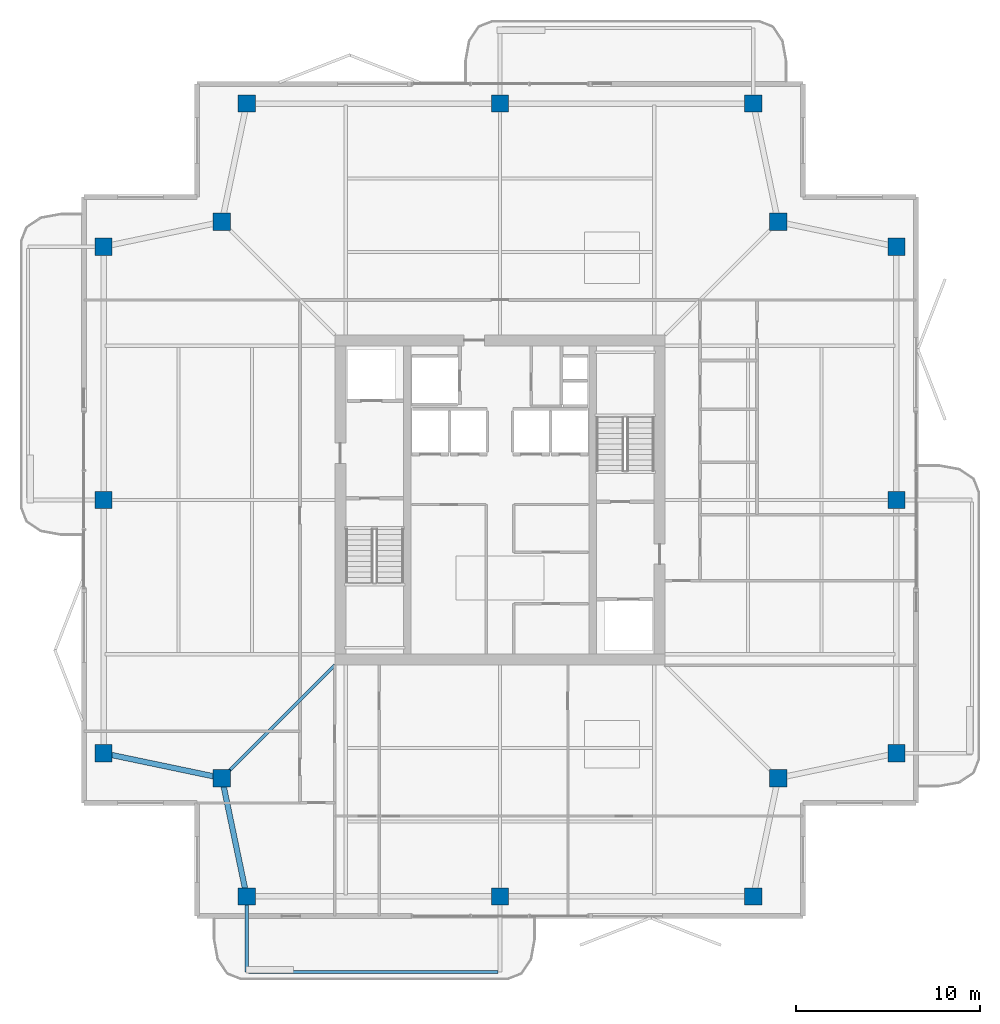
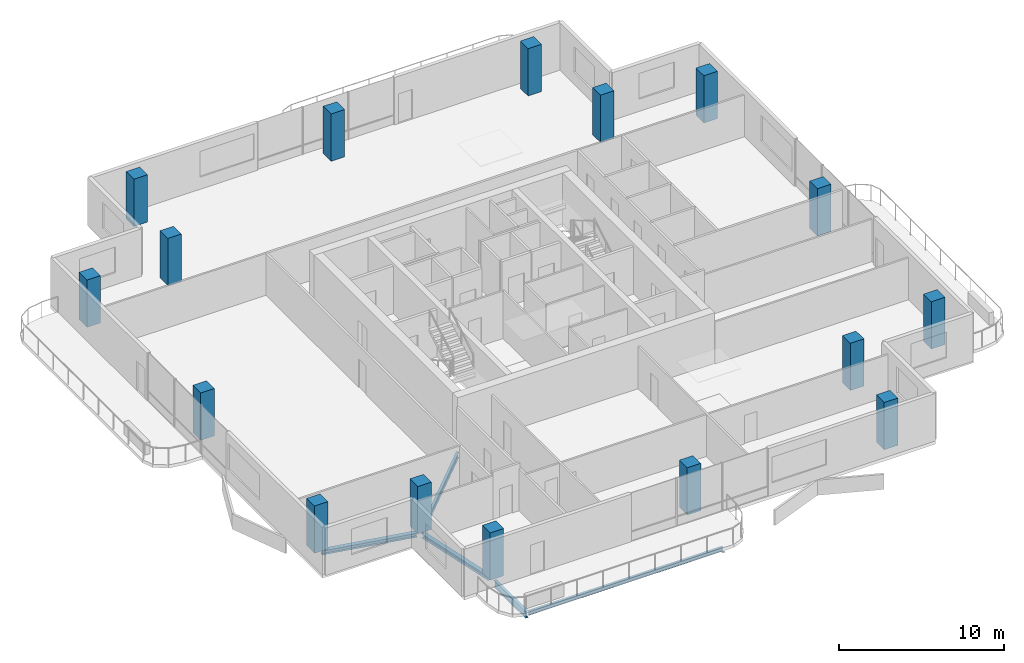
# One storey, part 1 of 17: 16 columns, 5 beams.
"""IFC4 building model written with IfcOpenShell, lengths in metres."""

from ifc_helpers import new_model, si_unit, direction, frame, origin, origin_2d, place, context, subcontext, project, spatial, rectangle, i_section, extrude, material, material_profile, profile_set, type_object, element, save


model = new_model("IFC4")

# Units and contexts
model_context = context("Model", 3, precision=1e-05, world=origin(), true_north=direction((0.0, 1.0)))
body_context = subcontext(model_context, "Body", "Model", "MODEL_VIEW")
ifc_project = project(units=[si_unit("LENGTHUNIT", "METRE"), si_unit("AREAUNIT", "SQUARE_METRE"), si_unit("VOLUMEUNIT", "CUBIC_METRE"), si_unit("PLANEANGLEUNIT", "RADIAN"), si_unit("MASSUNIT", "GRAM", prefix="KILO")], contexts=[model_context])

# Site, building, storey
site_placement = place(None, origin())
site = spatial("IfcSite", under=ifc_project, at=site_placement, CompositionType="ELEMENT")
building_placement = place(site_placement, origin())
building = spatial("IfcBuilding", under=site, at=building_placement, Name="Belovzor Exchange Tower", CompositionType="ELEMENT")
storey_placement = place(building_placement, frame((0.0, 0.0, 325.5)))
storey = spatial("IfcBuildingStorey", under=building, at=storey_placement, Name="L81", CompositionType="ELEMENT", Elevation=325.5)

# Columns
ifc_material_1 = material(Name="Concrete C50/60", Category="concrete")
ifc_material_profile_1 = material_profile(ifc_material_1, rectangle(XDim=0.949951171875, YDim=0.949951171875, at=origin_2d()))
ifc_profile_set_1 = profile_set([ifc_material_profile_1], Name="Concrete C50/60")
column_type = type_object("IfcColumnType", Name="Reinforced Concrete Tower Column 950x950", PredefinedType="COLUMN", material=ifc_profile_set_1)
for number, where, z_axis, x_axis, name in (
    (1, (15.0, 7.199951171875, 0.0029296875), (0.0, 0.0, 1.0), (1.0, 0.0, 0.0), "COL-T095 Reinforced Concrete Tower Column 950x950"),
    (2, (28.800048828125, 7.199951171875, 0.0029296875), (0.0, 0.0, 1.0), (1.0, 0.0, 0.0), "COL-T095 Reinforced Concrete Tower Column 950x950"),
    (3, (42.60009765625, 7.199951171875, 0.0029296875), (0.0, 0.0, 1.0), (1.0, 0.0, 0.0), "COL-T095 Reinforced Concrete Tower Column 950x950"),
    (4, (50.39990234375, 15.0, 0.0029296875), (0.0, 0.0, 1.0), (1.0, 0.0, 0.0), "COL-T095 Reinforced Concrete Tower Column 950x950"),
    (5, (50.39990234375, 28.800048828125, 0.0029296875), (0.0, 0.0, 1.0), (1.0, 0.0, 0.0), "COL-T095 Reinforced Concrete Tower Column 950x950"),
    (6, (50.39990234375, 42.60009765625, 0.0029296875), (0.0, 0.0, 1.0), (1.0, 0.0, 0.0), "COL-T095 Reinforced Concrete Tower Column 950x950"),
    (7, (42.60009765625, 50.39990234375, 0.0029296875), (0.0, 0.0, 1.0), (1.0, 0.0, 0.0), "COL-T095 Reinforced Concrete Tower Column 950x950"),
    (8, (28.800048828125, 50.39990234375, 0.0029296875), (0.0, 0.0, 1.0), (1.0, 0.0, 0.0), "COL-T095 Reinforced Concrete Tower Column 950x950"),
    (9, (15.0, 50.39990234375, 0.0029296875), (0.0, 0.0, 1.0), (1.0, 0.0, 0.0), "COL-T095 Reinforced Concrete Tower Column 950x950"),
    (10, (7.199951171875, 42.60009765625, 0.0029296875), (0.0, 0.0, 1.0), (1.0, 0.0, 0.0), "COL-T095 Reinforced Concrete Tower Column 950x950"),
    (11, (7.199951171875, 28.800048828125, 0.0029296875), (0.0, 0.0, 1.0), (1.0, 0.0, 0.0), "COL-T095 Reinforced Concrete Tower Column 950x950"),
    (12, (7.199951171875, 15.0, 0.0029296875), (0.0, 0.0, 1.0), (1.0, 0.0, 0.0), "COL-T095 Reinforced Concrete Tower Column 950x950"),
    (13, (13.64990234375, 13.64990234375, 0.0029296875), (0.0, 0.0, 1.0), (1.0, 0.0, 0.0), "COL-T095 Reinforced Concrete Tower Column 950x950"),
    (14, (43.949951171875, 13.64990234375, 0.0029296875), (0.0, 0.0, 1.0), (1.0, 0.0, 0.0), "COL-T095 Reinforced Concrete Tower Column 950x950"),
    (15, (43.949951171875, 43.949951171875, 0.0029296875), (0.0, 0.0, 1.0), (1.0, 0.0, 0.0), "COL-T095 Reinforced Concrete Tower Column 950x950"),
    (16, (13.64990234375, 43.949951171875, 0.0029296875), (0.0, 0.0, 1.0), (1.0, 0.0, 0.0), "COL-T095 Reinforced Concrete Tower Column 950x950"),
):
    element("IfcColumn", number, at=place(storey_placement, frame(where, z_axis=z_axis, x_axis=x_axis)), inside=storey, type_object=column_type, Name=name, PredefinedType="COLUMN", context=body_context, shape_type="SweptSolid", body=[
        extrude(rectangle(XDim=0.949951171875, YDim=0.949951171875, at=origin_2d()), origin(), (0.0, 0.0, 1.0), 3.504150390625),
    ])

# Beams
ifc_material_2 = material(Name="Steel S355", Category="steel")
ifc_material_profile_2 = material_profile(ifc_material_2, i_section(OverallWidth=0.199951171875, OverallDepth=0.5, WebThickness=0.01025390625, FlangeThickness=0.01611328125, at=origin_2d()))
ifc_profile_set_2 = profile_set([ifc_material_profile_2], Name="Steel S355")
beam_type_1 = type_object("IfcBeamType", Name="Planted Balcony Cantilever Beam IPE 500", PredefinedType="BEAM", material=ifc_profile_set_2)
beam_1_placement = place(storey_placement, frame((15.0, 6.93896484375, -0.489990234375), z_axis=(0.0, -1.0, 0.0), x_axis=(1.0, 0.0, 0.0)))
element("IfcBeam", 17, at=beam_1_placement, inside=storey, type_object=beam_type_1, Name="BC-500 Planted Balcony Cantilever Beam IPE 500", PredefinedType="BEAM", context=body_context, shape_type="SweptSolid", body=[
    extrude(i_section(OverallWidth=0.199951171875, OverallDepth=0.5, WebThickness=0.01025390625, FlangeThickness=0.01611328125, at=origin_2d()), origin(), (0.0, 0.0, 1.0), 3.849853515625),
])
ifc_material_3 = material(Name="Steel S355", Category="steel")
ifc_material_profile_3 = material_profile(ifc_material_3, i_section(OverallWidth=0.14990234375, OverallDepth=0.300048828125, WebThickness=0.007080078125, FlangeThickness=0.0107421875, at=origin_2d()))
ifc_profile_set_3 = profile_set([ifc_material_profile_3], Name="Steel S355")
beam_type_2 = type_object("IfcBeamType", Name="Planted Balcony Fascia Edge Beam IPE 300", PredefinedType="BEAM", material=ifc_profile_set_3)
beam_2_placement = place(storey_placement, frame((15.10009765625, 3.089111328125, -0.389892578125), z_axis=(1.0, 0.0, 0.0), x_axis=(0.0, 1.0, 0.0)))
element("IfcBeam", 18, at=beam_2_placement, inside=storey, type_object=beam_type_2, Name="BC-300 Planted Balcony Fascia Edge Beam IPE 300", PredefinedType="BEAM", context=body_context, shape_type="SweptSolid", body=[
    extrude(i_section(OverallWidth=0.14990234375, OverallDepth=0.300048828125, WebThickness=0.007080078125, FlangeThickness=0.0107421875, at=origin_2d()), origin(), (0.0, 0.0, 1.0), 13.599853515625),
])
ifc_material_4 = material(Name="Steel S355", Category="steel")
ifc_material_profile_4 = material_profile(ifc_material_4, i_section(OverallWidth=0.179931640625, OverallDepth=0.39990234375, WebThickness=0.008544921875, FlangeThickness=0.013427734375, at=origin_2d()))
ifc_profile_set_4 = profile_set([ifc_material_profile_4], Name="Steel S355")
beam_type_3 = type_object("IfcBeamType", Name="Zone 5-6 Radial Composite Floor Beam IPE 400", PredefinedType="BEAM", material=ifc_profile_set_4)
beam_3_placement = place(storey_placement, frame((19.800048828125, 19.800048828125, -0.43994140625), z_axis=(-0.707106781187, -0.707106781187, 0.0), x_axis=(0.707106781187, -0.707106781187, 0.0)))
element("IfcBeam", 19, at=beam_3_placement, inside=storey, type_object=beam_type_3, Name="FB-400 Zone 5-6 Radial Composite Floor Beam IPE 400", PredefinedType="BEAM", context=body_context, shape_type="SweptSolid", body=[
    extrude(i_section(OverallWidth=0.179931640625, OverallDepth=0.39990234375, WebThickness=0.008544921875, FlangeThickness=0.013427734375, at=origin_2d()), origin(), (0.0, 0.0, 1.0), 8.361083984375),
])
ifc_material_5 = material(Name="Steel S355", Category="steel")
ifc_material_profile_5 = material_profile(ifc_material_5, i_section(OverallWidth=0.300048828125, OverallDepth=0.300048828125, WebThickness=0.008544921875, FlangeThickness=0.013916015625, at=origin_2d()))
ifc_profile_set_5 = profile_set([ifc_material_profile_5], Name="Steel S355")
beam_type_4 = type_object("IfcBeamType", Name="Zone 6 Primary Girder HEA 300", PredefinedType="BEAM", material=ifc_profile_set_5)
for number, where, z_axis, x_axis, name in (
    (20, (13.7041015625, 13.39404296875, -0.389892578125), (0.204722380619, -0.978820078908, 0.0), (0.978820078908, 0.204722380619, 0.0), "FG-Z6 Zone 6 Primary Girder HEA 300"),
    (21, (7.4560546875, 14.946044921875, -0.389892578125), (0.978820078908, -0.204722380619, 0.0), (0.204722380619, 0.978820078908, 0.0), "FG-Z6 Zone 6 Primary Girder HEA 300"),
):
    element("IfcBeam", number, at=place(storey_placement, frame(where, z_axis=z_axis, x_axis=x_axis)), inside=storey, type_object=beam_type_4, Name=name, PredefinedType="BEAM", context=body_context, shape_type="SweptSolid", body=[
        extrude(i_section(OverallWidth=0.300048828125, OverallDepth=0.300048828125, WebThickness=0.008544921875, FlangeThickness=0.013916015625, at=origin_2d()), origin(), (0.0, 0.0, 1.0), 6.06640625),
    ])

save(model, "model.ifc")
